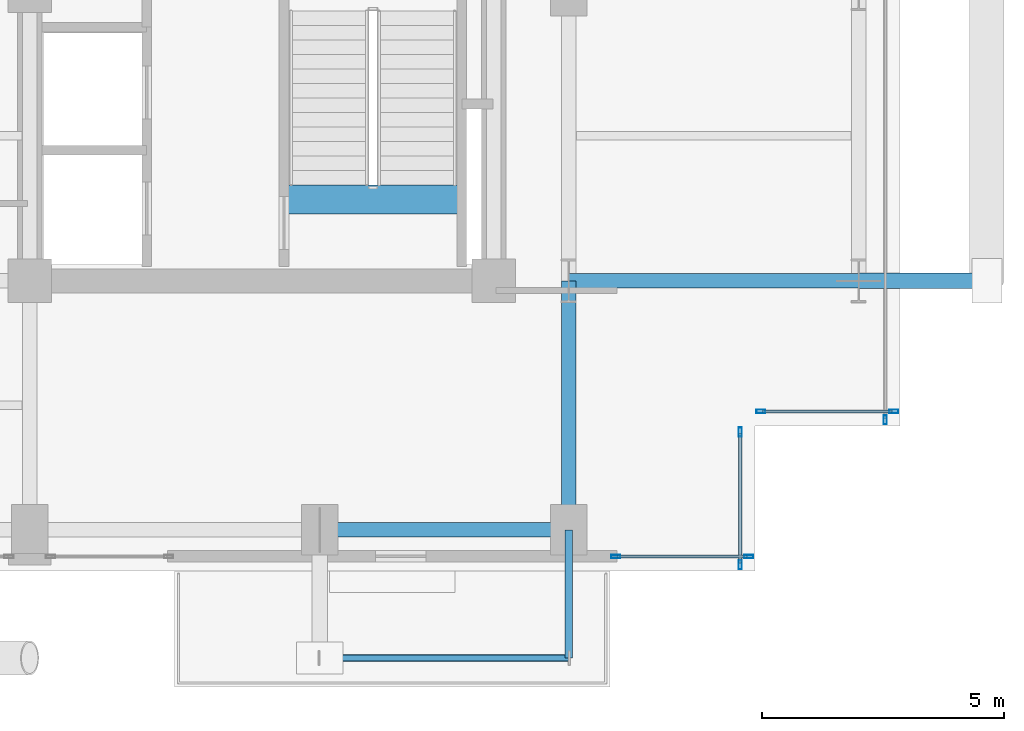
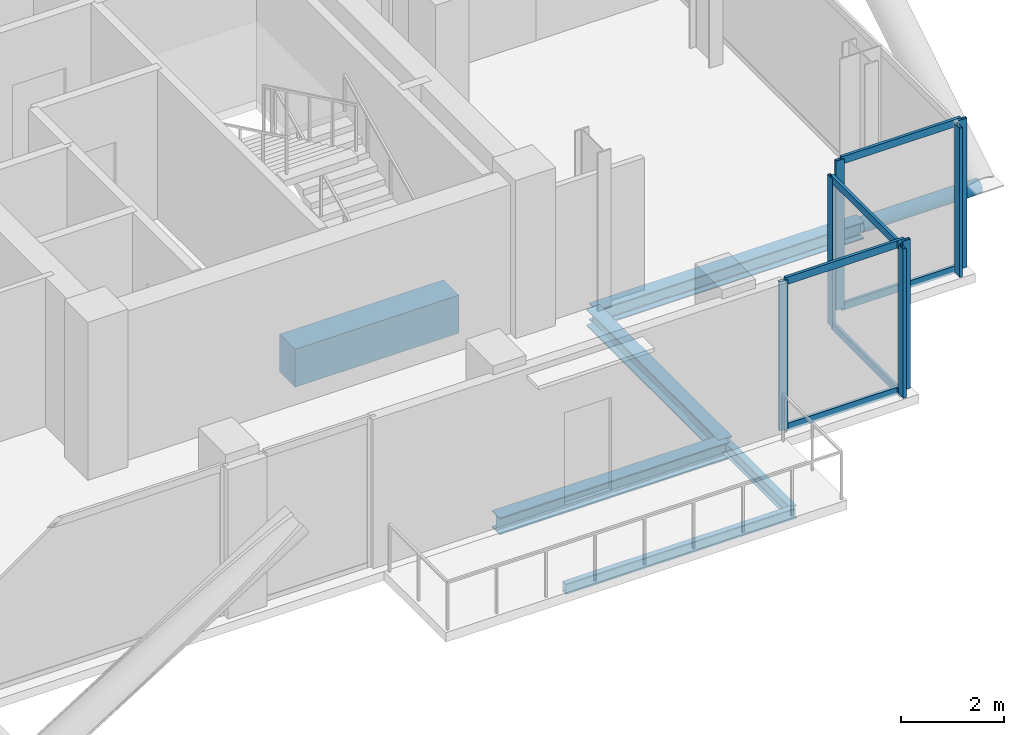
# One storey, part 11 of 25: 14 members, 6 beams, 4 elements without a shape of their own.
"""IFC4 building model written with IfcOpenShell, lengths in metres."""

from ifc_helpers import new_model, si_unit, direction, frame, origin, origin_2d, place, context, subcontext, project, spatial, rectangle, hollow_rectangle, hollow_circle, i_section, extrude, material, layer, layer_set, material_profile, profile_set, type_object, element, aggregate, save


model = new_model("IFC4")

# Units and contexts
model_context = context("Model", 3, precision=1e-05, world=origin(), true_north=direction((0.0, 1.0)))
body_context = subcontext(model_context, "Body", "Model", "MODEL_VIEW")
ifc_project = project(units=[si_unit("LENGTHUNIT", "METRE"), si_unit("AREAUNIT", "SQUARE_METRE"), si_unit("VOLUMEUNIT", "CUBIC_METRE"), si_unit("PLANEANGLEUNIT", "RADIAN"), si_unit("MASSUNIT", "GRAM", prefix="KILO"), si_unit("THERMODYNAMICTEMPERATUREUNIT", "KELVIN"), si_unit("POWERUNIT", "WATT")], contexts=[model_context])

# Site, building, storey
site_placement = place(None, origin())
site = spatial("IfcSite", under=ifc_project, at=site_placement, CompositionType="ELEMENT")
building_placement = place(site_placement, origin())
building = spatial("IfcBuilding", under=site, at=building_placement, Name="Svarakhadi Broadcast Tower", CompositionType="ELEMENT")
storey_placement = place(building_placement, frame((0.0, 0.0, 212.39990234375)))
storey = spatial("IfcBuildingStorey", under=building, at=storey_placement, Name="L52", CompositionType="ELEMENT", Elevation=212.39990234375)

# Curtain wall, member
ifc_material_1 = material(Name="Anodised Bronze Aluminium AA 6063-T6", Category="aluminium")
ifc_layer = layer(ifc_material_1, 0.18994140625)
ifc_layer_set = layer_set([ifc_layer], Name="Anodised Bronze Aluminium AA 6063-T6")
curtain_wall_type = type_object("IfcCurtainWallType", Name="CW_Sys_04", PredefinedType="NOTDEFINED", material=ifc_layer_set)
curtain_wall_1_placement = place(storey_placement, origin())
curtain_wall_1 = element("IfcCurtainWall", 1, at=curtain_wall_1_placement, inside=storey, type_object=curtain_wall_type, Name="L52 Unitised Facade Curtain Wall 13", PredefinedType="NOTDEFINED")
ifc_material_profile_1 = material_profile(ifc_material_1, hollow_rectangle(XDim=0.070068359375, YDim=0.18994140625, WallThickness=0.005615234375, at=origin_2d()), Name="ALU MULLION 190x70x6")
ifc_profile_set_1 = profile_set([ifc_material_profile_1], Name="Anodised Bronze Aluminium AA 6063-T6")
member_type_1 = type_object("IfcMemberType", Name="CW_Sys_04_Mul", PredefinedType="MULLION", material=ifc_profile_set_1)
member_1_placement = place(storey_placement, frame((41.699951171875, 3.125, 0.0), z_axis=(0.0, 0.0, 1.0), x_axis=(1.0, 0.0, 0.0)))
member_1 = element("IfcMember", 2, at=member_1_placement, type_object=member_type_1, Name="CW-04 mullion 2", PredefinedType="MULLION", context=body_context, shape_type="SweptSolid", body=[
    extrude(hollow_rectangle(XDim=0.070068359375, YDim=0.18994140625, WallThickness=0.005615234375, at=origin_2d()), origin(), (0.0, 0.0, 1.0), 3.5400390625),
])
aggregate(curtain_wall_1, [member_1])

# Curtain wall, members
curtain_wall_2_placement = place(storey_placement, origin())
curtain_wall_2 = element("IfcCurtainWall", 3, at=curtain_wall_2_placement, inside=storey, type_object=curtain_wall_type, Name="L52 Unitised Facade Curtain Wall 14", PredefinedType="NOTDEFINED")
member_2_placement = place(storey_placement, frame((41.875, 3.300048828125, 0.0), z_axis=(0.0, 0.0, 1.0), x_axis=(0.0, -1.0, 0.0)))
member_2 = element("IfcMember", 4, at=member_2_placement, type_object=member_type_1, Name="CW-04 mullion 1", PredefinedType="MULLION", context=body_context, shape_type="SweptSolid", body=[
    extrude(hollow_rectangle(XDim=0.070068359375, YDim=0.18994140625, WallThickness=0.005615234375, at=origin_2d()), origin(), (0.0, 0.0, 1.0), 3.5400390625),
])
member_3_placement = place(storey_placement, frame((39.125, 3.300048828125, 0.0), z_axis=(0.0, 0.0, 1.0), x_axis=(0.0, -1.0, 0.0)))
member_3 = element("IfcMember", 5, at=member_3_placement, type_object=member_type_1, Name="CW-04 mullion 2", PredefinedType="MULLION", context=body_context, shape_type="SweptSolid", body=[
    extrude(hollow_rectangle(XDim=0.070068359375, YDim=0.18994140625, WallThickness=0.005615234375, at=origin_2d()), origin(), (0.0, 0.0, 1.0), 3.5400390625),
])

curtain_wall_3_placement = place(storey_placement, origin())
curtain_wall_3 = element("IfcCurtainWall", 6, at=curtain_wall_3_placement, inside=storey, type_object=curtain_wall_type, Name="L52 Unitised Facade Curtain Wall 15", PredefinedType="NOTDEFINED")
member_4_placement = place(storey_placement, frame((38.699951171875, 2.875, 0.0), z_axis=(0.0, 0.0, 1.0), x_axis=(1.0, 0.0, 0.0)))
member_4 = element("IfcMember", 7, at=member_4_placement, type_object=member_type_1, Name="CW-04 mullion 1", PredefinedType="MULLION", context=body_context, shape_type="SweptSolid", body=[
    extrude(hollow_rectangle(XDim=0.070068359375, YDim=0.18994140625, WallThickness=0.005615234375, at=origin_2d()), origin(), (0.0, 0.0, 1.0), 3.5400390625),
])
member_5_placement = place(storey_placement, frame((38.699951171875, 0.125, 0.0), z_axis=(0.0, 0.0, 1.0), x_axis=(1.0, 0.0, 0.0)))
member_5 = element("IfcMember", 8, at=member_5_placement, type_object=member_type_1, Name="CW-04 mullion 2", PredefinedType="MULLION", context=body_context, shape_type="SweptSolid", body=[
    extrude(hollow_rectangle(XDim=0.070068359375, YDim=0.18994140625, WallThickness=0.005615234375, at=origin_2d()), origin(), (0.0, 0.0, 1.0), 3.5400390625),
])

curtain_wall_4_placement = place(storey_placement, origin())
curtain_wall_4 = element("IfcCurtainWall", 9, at=curtain_wall_4_placement, inside=storey, type_object=curtain_wall_type, Name="L52 South Curtain Wall 16", PredefinedType="NOTDEFINED")
member_6_placement = place(storey_placement, frame((38.875, 0.300048828125, 0.0), z_axis=(0.0, 0.0, 1.0), x_axis=(0.0, -1.0, 0.0)))
member_6 = element("IfcMember", 10, at=member_6_placement, type_object=member_type_1, Name="CW-04 mullion 1", PredefinedType="MULLION", context=body_context, shape_type="SweptSolid", body=[
    extrude(hollow_rectangle(XDim=0.070068359375, YDim=0.18994140625, WallThickness=0.005615234375, at=origin_2d()), origin(), (0.0, 0.0, 1.0), 3.5400390625),
])
member_7_placement = place(storey_placement, frame((36.125, 0.300048828125, 0.0), z_axis=(0.0, 0.0, 1.0), x_axis=(0.0, -1.0, 0.0)))
member_7 = element("IfcMember", 11, at=member_7_placement, type_object=member_type_1, Name="CW-04 mullion 2", PredefinedType="MULLION", context=body_context, shape_type="SweptSolid", body=[
    extrude(hollow_rectangle(XDim=0.070068359375, YDim=0.18994140625, WallThickness=0.005615234375, at=origin_2d()), origin(), (0.0, 0.0, 1.0), 3.5400390625),
])

# Member
ifc_material_profile_2 = material_profile(ifc_material_1, hollow_rectangle(XDim=0.06494140625, YDim=0.175048828125, WallThickness=0.0048828125, at=origin_2d()), Name="ALU TRANSOM 175x65x5")
ifc_profile_set_2 = profile_set([ifc_material_profile_2], Name="Anodised Bronze Aluminium AA 6063-T6")
member_type_2 = type_object("IfcMemberType", Name="CW_Sys_04_Trn", PredefinedType="USERDEFINED", material=ifc_profile_set_2)
member_8_placement = place(storey_placement, frame((41.840087890625, 3.300048828125, 0.03271484375), z_axis=(-1.0, 0.0, 0.0), x_axis=(0.0, -1.0, 0.0)))
member_8 = element("IfcMember", 12, at=member_8_placement, type_object=member_type_2, Name="CW-04 transom 1.1", ObjectType="TRANSOM", PredefinedType="USERDEFINED", context=body_context, shape_type="SweptSolid", body=[
    extrude(hollow_rectangle(XDim=0.06494140625, YDim=0.175048828125, WallThickness=0.0048828125, at=origin_2d()), origin(), (0.0, 0.0, 1.0), 2.68017578125),
])

member_9_placement = place(storey_placement, frame((41.840087890625, 3.300048828125, 3.507568359375), z_axis=(-1.0, 0.0, 0.0), x_axis=(0.0, -1.0, 0.0)))
member_9 = element("IfcMember", 13, at=member_9_placement, type_object=member_type_2, Name="CW-04 transom 1.2", ObjectType="TRANSOM", PredefinedType="USERDEFINED", context=body_context, shape_type="SweptSolid", body=[
    extrude(hollow_rectangle(XDim=0.06494140625, YDim=0.175048828125, WallThickness=0.0048828125, at=origin_2d()), origin(), (0.0, 0.0, 1.0), 2.68017578125),
])

aggregate(curtain_wall_2, [member_2, member_3, member_8, member_9])

member_10_placement = place(storey_placement, frame((38.699951171875, 2.840087890625, 0.03271484375), z_axis=(0.0, -1.0, 0.0), x_axis=(1.0, 0.0, 0.0)))
member_10 = element("IfcMember", 14, at=member_10_placement, type_object=member_type_2, Name="CW-04 transom 1.1", ObjectType="TRANSOM", PredefinedType="USERDEFINED", context=body_context, shape_type="SweptSolid", body=[
    extrude(hollow_rectangle(XDim=0.06494140625, YDim=0.175048828125, WallThickness=0.0048828125, at=origin_2d()), origin(), (0.0, 0.0, 1.0), 2.68017578125),
])

member_11_placement = place(storey_placement, frame((38.699951171875, 2.840087890625, 3.507568359375), z_axis=(0.0, -1.0, 0.0), x_axis=(1.0, 0.0, 0.0)))
member_11 = element("IfcMember", 15, at=member_11_placement, type_object=member_type_2, Name="CW-04 transom 1.2", ObjectType="TRANSOM", PredefinedType="USERDEFINED", context=body_context, shape_type="SweptSolid", body=[
    extrude(hollow_rectangle(XDim=0.06494140625, YDim=0.175048828125, WallThickness=0.0048828125, at=origin_2d()), origin(), (0.0, 0.0, 1.0), 2.68017578125),
])

aggregate(curtain_wall_3, [member_4, member_5, member_10, member_11])

member_12_placement = place(storey_placement, frame((38.840087890625, 0.300048828125, 0.03271484375), z_axis=(-1.0, 0.0, 0.0), x_axis=(0.0, -1.0, 0.0)))
member_12 = element("IfcMember", 16, at=member_12_placement, type_object=member_type_2, Name="CW-04 transom 1.1", ObjectType="TRANSOM", PredefinedType="USERDEFINED", context=body_context, shape_type="SweptSolid", body=[
    extrude(hollow_rectangle(XDim=0.06494140625, YDim=0.175048828125, WallThickness=0.0048828125, at=origin_2d()), origin(), (0.0, 0.0, 1.0), 2.68017578125),
])

member_13_placement = place(storey_placement, frame((38.840087890625, 0.300048828125, 3.507568359375), z_axis=(-1.0, 0.0, 0.0), x_axis=(0.0, -1.0, 0.0)))
member_13 = element("IfcMember", 17, at=member_13_placement, type_object=member_type_2, Name="CW-04 transom 1.2", ObjectType="TRANSOM", PredefinedType="USERDEFINED", context=body_context, shape_type="SweptSolid", body=[
    extrude(hollow_rectangle(XDim=0.06494140625, YDim=0.175048828125, WallThickness=0.0048828125, at=origin_2d()), origin(), (0.0, 0.0, 1.0), 2.68017578125),
])

aggregate(curtain_wall_4, [member_6, member_7, member_12, member_13])

# Beam
ifc_material_2 = material(Name="Concrete C50/60 (IS 456 M60)", Category="concrete")
ifc_material_profile_3 = material_profile(ifc_material_2, rectangle(XDim=0.60009765625, YDim=0.89990234375, at=origin_2d()), Name="RC 600x900")
ifc_profile_set_3 = profile_set([ifc_material_profile_3], Name="Concrete C50/60 (IS 456 M60)")
beam_type_1 = type_object("IfcBeamType", Name="Coupling_RC600", PredefinedType="USERDEFINED", material=ifc_profile_set_3)
beam_1_placement = place(storey_placement, frame((29.260009765625, 7.679931640625, -0.449951171875), z_axis=(1.0, 0.0, 0.0), x_axis=(0.0, 1.0, 0.0)))
element("IfcBeam", 18, at=beam_1_placement, inside=storey, type_object=beam_type_1, Name="L52 Stair ST-02 Landing Throat Trimmer Beam CB-01", ObjectType="GIRDER", PredefinedType="USERDEFINED", context=body_context, shape_type="SweptSolid", body=[
    extrude(rectangle(XDim=0.60009765625, YDim=0.89990234375, at=origin_2d()), origin(), (0.0, 0.0, 1.0), 3.679931640625),
])

# Member
ifc_material_3 = material(Name="Steel S460ML (IS 2062 E450BR)", Category="steel")
ifc_material_profile_4 = material_profile(ifc_material_3, hollow_circle(Radius=0.161865234375, WallThickness=0.01611328125, at=origin_2d()), Name="CHS 323.9x16")
ifc_profile_set_4 = profile_set([ifc_material_profile_4], Name="Steel S460ML (IS 2062 E450BR)")
member_type_3 = type_object("IfcMemberType", Name="Exo_Radial_Strut_Z2", PredefinedType="STRUT", material=ifc_profile_set_4)
member_14_placement = place(storey_placement, frame((43.800048828125, 6.0, -0.371826171875), z_axis=(-1.0, 0.0, 0.0), x_axis=(0.0, -1.0, 0.0)))
element("IfcMember", 19, at=member_14_placement, inside=storey, type_object=member_type_3, Name="L52 Exoskeleton Radial Tie Strut E07", PredefinedType="STRUT", context=body_context, shape_type="SweptSolid", body=[
    extrude(hollow_circle(Radius=0.161865234375, WallThickness=0.01611328125, at=origin_2d()), origin(), (0.0, 0.0, 1.0), 2.650146484375),
])

# Beams
ifc_material_4 = material(Name="Steel S355J2 (IS 2062 E350C)", Category="steel")
ifc_material_profile_5 = material_profile(ifc_material_4, i_section(OverallWidth=0.300048828125, OverallDepth=0.39990234375, WebThickness=0.013427734375, FlangeThickness=0.02392578125, FilletRadius=0.027099609375, at=origin_2d()), Name="WPB 400x300x155")
ifc_profile_set_5 = profile_set([ifc_material_profile_5], Name="Steel S355J2 (IS 2062 E350C)")
beam_type_2 = type_object("IfcBeamType", Name="Girder_WPB400", PredefinedType="USERDEFINED", material=ifc_profile_set_5)
beam_2_placement = place(storey_placement, frame((30.0, 0.85009765625, -0.409912109375), z_axis=(1.0, 0.0, 0.0), x_axis=(0.0, 1.0, 0.0)))
element("IfcBeam", 20, at=beam_2_placement, inside=storey, type_object=beam_type_2, Name="L52 Primary E-W Girder G008", ObjectType="GIRDER", PredefinedType="USERDEFINED", context=body_context, shape_type="SweptSolid", body=[
    extrude(i_section(OverallWidth=0.300048828125, OverallDepth=0.39990234375, WebThickness=0.013427734375, FlangeThickness=0.02392578125, FilletRadius=0.027099609375, at=origin_2d()), origin(), (0.0, 0.0, 1.0), 5.14990234375),
])
beam_3_placement = place(storey_placement, frame((35.14990234375, 6.0, -0.409912109375), z_axis=(1.0, 0.0, 0.0), x_axis=(0.0, 1.0, 0.0)))
element("IfcBeam", 21, at=beam_3_placement, inside=storey, type_object=beam_type_2, Name="L52 Primary E-W Girder G014", ObjectType="GIRDER", PredefinedType="USERDEFINED", context=body_context, shape_type="SweptSolid", body=[
    extrude(i_section(OverallWidth=0.300048828125, OverallDepth=0.39990234375, WebThickness=0.013427734375, FlangeThickness=0.02392578125, FilletRadius=0.027099609375, at=origin_2d()), origin(), (0.0, 0.0, 1.0), 6.0),
])
beam_4_placement = place(storey_placement, frame((35.14990234375, 0.85009765625, -0.409912109375), z_axis=(0.0, 1.0, 0.0), x_axis=(-1.0, 0.0, 0.0)))
element("IfcBeam", 22, at=beam_4_placement, inside=storey, type_object=beam_type_2, Name="L52 Primary N-S Girder G056", ObjectType="GIRDER", PredefinedType="USERDEFINED", context=body_context, shape_type="SweptSolid", body=[
    extrude(i_section(OverallWidth=0.300048828125, OverallDepth=0.39990234375, WebThickness=0.013427734375, FlangeThickness=0.02392578125, FilletRadius=0.027099609375, at=origin_2d()), origin(), (0.0, 0.0, 1.0), 5.14990234375),
])
ifc_material_profile_6 = material_profile(ifc_material_4, i_section(OverallWidth=0.14990234375, OverallDepth=0.300048828125, WebThickness=0.007080078125, FlangeThickness=0.0107421875, FilletRadius=0.014892578125, at=origin_2d()), Name="NPB 300x150x37")
ifc_profile_set_6 = profile_set([ifc_material_profile_6], Name="Steel S355J2 (IS 2062 E350C)")
beam_type_3 = type_object("IfcBeamType", Name="Spandrel_NPB300", PredefinedType="SPANDREL", material=ifc_profile_set_6)
beam_5_placement = place(storey_placement, frame((35.14990234375, 0.85009765625, -0.375), z_axis=(0.0, -1.0, 0.0), x_axis=(1.0, 0.0, 0.0)))
element("IfcBeam", 23, at=beam_5_placement, inside=storey, type_object=beam_type_3, Name="L52 Balcony Cantilever Bracket 1B", PredefinedType="SPANDREL", context=body_context, shape_type="SweptSolid", body=[
    extrude(i_section(OverallWidth=0.14990234375, OverallDepth=0.300048828125, WebThickness=0.007080078125, FlangeThickness=0.0107421875, FilletRadius=0.014892578125, at=origin_2d()), origin(), (0.0, 0.0, 1.0), 2.650146484375),
])
ifc_material_profile_7 = material_profile(ifc_material_3, hollow_rectangle(XDim=0.14990234375, YDim=0.25, WallThickness=0.010009765625, InnerFilletRadius=0.010009765625, OuterFilletRadius=0.02001953125, at=origin_2d()), Name="RHS 250x150x10")
ifc_profile_set_7 = profile_set([ifc_material_profile_7], Name="Steel S460ML (IS 2062 E450BR)")
beam_type_4 = type_object("IfcBeamType", Name="Spandrel_RHS250", PredefinedType="SPANDREL", material=ifc_profile_set_7)
beam_6_placement = place(storey_placement, frame((30.0, -1.800048828125, -0.349853515625), z_axis=(1.0, 0.0, 0.0), x_axis=(0.0, 1.0, 0.0)))
element("IfcBeam", 24, at=beam_6_placement, inside=storey, type_object=beam_type_4, Name="L52 Balcony Outer Spandrel 1F", PredefinedType="SPANDREL", context=body_context, shape_type="SweptSolid", body=[
    extrude(hollow_rectangle(XDim=0.14990234375, YDim=0.25, WallThickness=0.010009765625, InnerFilletRadius=0.010009765625, OuterFilletRadius=0.02001953125, at=origin_2d()), origin(), (0.0, 0.0, 1.0), 5.14990234375),
])

save(model, "model.ifc")
